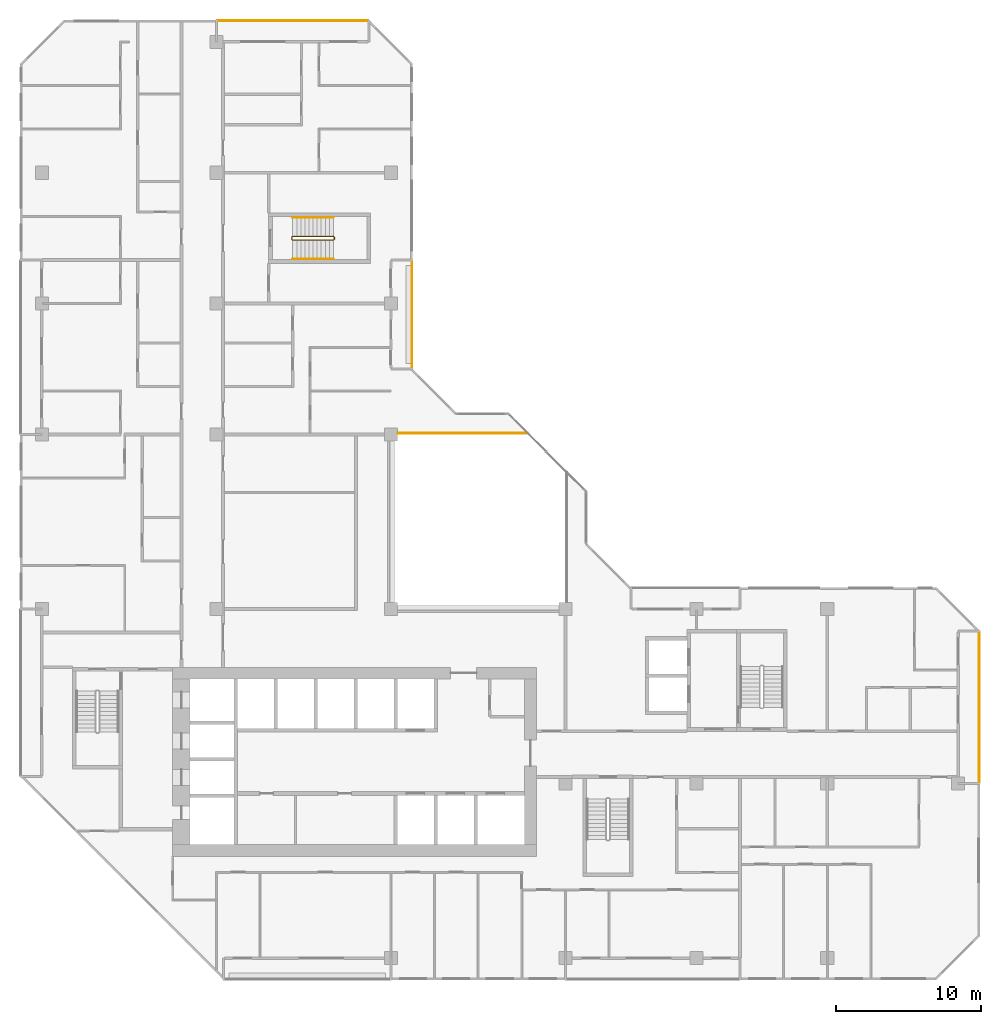
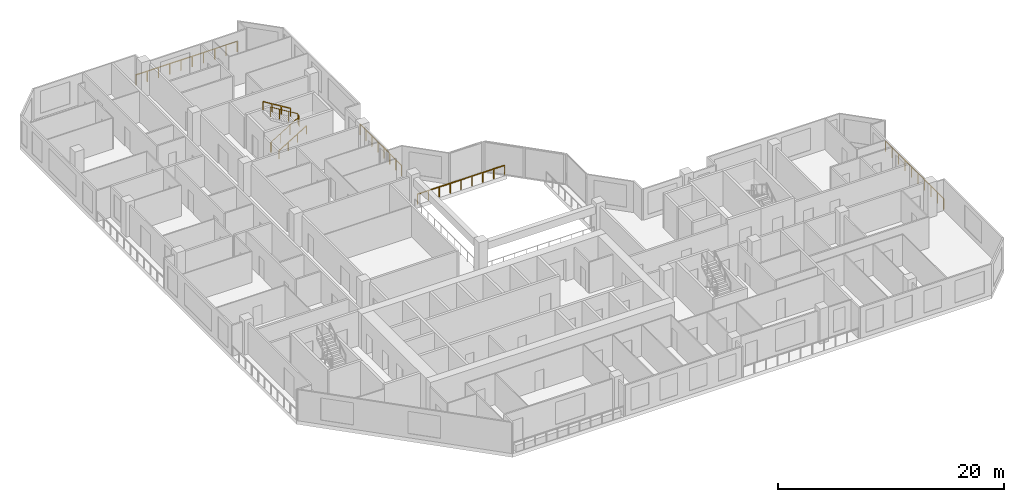
# One storey, part 15 of 15: 7 railings.
"""IFC4 building model written with IfcOpenShell, lengths in metres."""

from ifc_helpers import new_model, si_unit, direction, frame, origin, origin_2d, place, context, subcontext, project, spatial, rectangle, extrude, material, type_object, element, save


model = new_model("IFC4")

# Units and contexts
model_context = context("Model", 3, precision=1e-05, world=origin(), true_north=direction((0.0, 1.0)))
body_context = subcontext(model_context, "Body", "Model", "MODEL_VIEW")
ifc_project = project(units=[si_unit("LENGTHUNIT", "METRE"), si_unit("AREAUNIT", "SQUARE_METRE"), si_unit("VOLUMEUNIT", "CUBIC_METRE"), si_unit("PLANEANGLEUNIT", "RADIAN"), si_unit("MASSUNIT", "GRAM", prefix="KILO")], contexts=[model_context])

# Site, building, storey
site_placement = place(None, origin())
site = spatial("IfcSite", under=ifc_project, at=site_placement, CompositionType="ELEMENT")
building_placement = place(site_placement, origin())
building = spatial("IfcBuilding", under=site, at=building_placement, Name="Chenar Terraces", CompositionType="ELEMENT")
storey_placement = place(building_placement, frame((0.0, 0.0, 198.64990234375)))
storey = spatial("IfcBuildingStorey", under=building, at=storey_placement, Name="L46", CompositionType="ELEMENT", Elevation=198.64990234375)

# Railings
ifc_material_1 = material(Name="Powder-coated steel", Category="steel")
railing_type_1 = type_object("IfcRailingType", Name="Guard 1100 steel rail with glass infill", PredefinedType="GUARDRAIL", material=ifc_material_1)
railing_1_placement = place(storey_placement, frame((24.5, 36.10009765625, 0.0)))
element("IfcRailing", 1, at=railing_1_placement, inside=storey, type_object=railing_type_1, Name="Guard L46-2", PredefinedType="GUARDRAIL", context=body_context, shape_type="SweptSolid", body=[
    extrude(rectangle(XDim=0.06005859375, YDim=0.06005859375, at=origin_2d()), frame((0.0, 0.0, 1.070068359375), z_axis=(1.0, 0.0, 0.0), x_axis=(0.0, 1.0, 0.0)), (0.0, 0.0, 1.0), 8.89990234375),
    extrude(rectangle(XDim=0.050048828125, YDim=0.050048828125, at=origin_2d()), origin(), (0.0, 0.0, 1.0), 1.0400390625),
    extrude(rectangle(XDim=0.050048828125, YDim=0.050048828125, at=origin_2d()), frame((1.112548828125, 0.0, 0.0)), (0.0, 0.0, 1.0), 1.0400390625),
    extrude(rectangle(XDim=0.050048828125, YDim=0.050048828125, at=origin_2d()), frame((2.22509765625, 0.0, 0.0)), (0.0, 0.0, 1.0), 1.0400390625),
    extrude(rectangle(XDim=0.050048828125, YDim=0.050048828125, at=origin_2d()), frame((3.33740234375, 0.0, 0.0)), (0.0, 0.0, 1.0), 1.0400390625),
    extrude(rectangle(XDim=0.050048828125, YDim=0.050048828125, at=origin_2d()), frame((4.449951171875, 0.0, 0.0)), (0.0, 0.0, 1.0), 1.0400390625),
    extrude(rectangle(XDim=0.050048828125, YDim=0.050048828125, at=origin_2d()), frame((5.5625, 0.0, 0.0)), (0.0, 0.0, 1.0), 1.0400390625),
    extrude(rectangle(XDim=0.050048828125, YDim=0.050048828125, at=origin_2d()), frame((6.6748046875, 0.0, 0.0)), (0.0, 0.0, 1.0), 1.0400390625),
    extrude(rectangle(XDim=0.050048828125, YDim=0.050048828125, at=origin_2d()), frame((7.787353515625, 0.0, 0.0)), (0.0, 0.0, 1.0), 1.0400390625),
    extrude(rectangle(XDim=0.050048828125, YDim=0.050048828125, at=origin_2d()), frame((8.89990234375, 0.0, 0.0)), (0.0, 0.0, 1.0), 1.0400390625),
])
ifc_material_2 = material(Name="Stainless steel and glass", Category="steel")
railing_type_2 = type_object("IfcRailingType", Name="Loggia guard 1150", PredefinedType="GUARDRAIL", material=ifc_material_2)
railing_2_placement = place(storey_placement, frame((25.449951171875, 40.574951171875, 0.0)))
element("IfcRailing", 2, at=railing_2_placement, inside=storey, type_object=railing_type_2, Name="Loggia guard", PredefinedType="GUARDRAIL", context=body_context, shape_type="SweptSolid", body=[
    extrude(rectangle(XDim=0.048095703125, YDim=0.048095703125, at=origin_2d()), frame((0.0, 0.0, 1.1259765625), z_axis=(0.0, 1.0, 0.0), x_axis=(-1.0, 0.0, 0.0)), (0.0, 0.0, 1.0), 7.35009765625),
    extrude(rectangle(XDim=0.0419921875, YDim=0.0419921875, at=origin_2d()), origin(), (0.0, 0.0, 1.0), 1.101806640625),
    extrude(rectangle(XDim=0.0419921875, YDim=0.0419921875, at=origin_2d()), frame((0.0, 1.050048828125, 0.0)), (0.0, 0.0, 1.0), 1.101806640625),
    extrude(rectangle(XDim=0.0419921875, YDim=0.0419921875, at=origin_2d()), frame((0.0, 2.10009765625, 0.0)), (0.0, 0.0, 1.0), 1.101806640625),
    extrude(rectangle(XDim=0.0419921875, YDim=0.0419921875, at=origin_2d()), frame((0.0, 3.150146484375, 0.0)), (0.0, 0.0, 1.0), 1.101806640625),
    extrude(rectangle(XDim=0.0419921875, YDim=0.0419921875, at=origin_2d()), frame((0.0, 4.199951171875, 0.0)), (0.0, 0.0, 1.0), 1.101806640625),
    extrude(rectangle(XDim=0.0419921875, YDim=0.0419921875, at=origin_2d()), frame((0.0, 5.25, 0.0)), (0.0, 0.0, 1.0), 1.101806640625),
    extrude(rectangle(XDim=0.0419921875, YDim=0.0419921875, at=origin_2d()), frame((0.0, 6.300048828125, 0.0)), (0.0, 0.0, 1.0), 1.101806640625),
    extrude(rectangle(XDim=0.0419921875, YDim=0.0419921875, at=origin_2d()), frame((0.0, 7.35009765625, 0.0)), (0.0, 0.0, 1.0), 1.101806640625),
])
railing_3_placement = place(storey_placement, frame((64.449951171875, 12.074951171875, 0.0)))
element("IfcRailing", 3, at=railing_3_placement, inside=storey, type_object=railing_type_2, Name="Loggia guard", PredefinedType="GUARDRAIL", context=body_context, shape_type="SweptSolid", body=[
    extrude(rectangle(XDim=0.048095703125, YDim=0.048095703125, at=origin_2d()), frame((0.0, 0.0, 1.1259765625), z_axis=(0.0, 1.0, 0.0), x_axis=(-1.0, 0.0, 0.0)), (0.0, 0.0, 1.0), 10.35009765625),
    extrude(rectangle(XDim=0.0419921875, YDim=0.0419921875, at=origin_2d()), origin(), (0.0, 0.0, 1.0), 1.101806640625),
    extrude(rectangle(XDim=0.0419921875, YDim=0.0419921875, at=origin_2d()), frame((0.0, 1.14990234375, 0.0)), (0.0, 0.0, 1.0), 1.101806640625),
    extrude(rectangle(XDim=0.0419921875, YDim=0.0419921875, at=origin_2d()), frame((0.0, 2.300048828125, 0.0)), (0.0, 0.0, 1.0), 1.101806640625),
    extrude(rectangle(XDim=0.0419921875, YDim=0.0419921875, at=origin_2d()), frame((0.0, 3.449951171875, 0.0)), (0.0, 0.0, 1.0), 1.101806640625),
    extrude(rectangle(XDim=0.0419921875, YDim=0.0419921875, at=origin_2d()), frame((0.0, 4.60009765625, 0.0)), (0.0, 0.0, 1.0), 1.101806640625),
    extrude(rectangle(XDim=0.0419921875, YDim=0.0419921875, at=origin_2d()), frame((0.0, 5.75, 0.0)), (0.0, 0.0, 1.0), 1.101806640625),
    extrude(rectangle(XDim=0.0419921875, YDim=0.0419921875, at=origin_2d()), frame((0.0, 6.900146484375, 0.0)), (0.0, 0.0, 1.0), 1.101806640625),
    extrude(rectangle(XDim=0.0419921875, YDim=0.0419921875, at=origin_2d()), frame((0.0, 8.050048828125, 0.0)), (0.0, 0.0, 1.0), 1.101806640625),
    extrude(rectangle(XDim=0.0419921875, YDim=0.0419921875, at=origin_2d()), frame((0.0, 9.2001953125, 0.0)), (0.0, 0.0, 1.0), 1.101806640625),
    extrude(rectangle(XDim=0.0419921875, YDim=0.0419921875, at=origin_2d()), frame((0.0, 10.35009765625, 0.0)), (0.0, 0.0, 1.0), 1.101806640625),
])
railing_4_placement = place(storey_placement, frame((22.425048828125, 64.449951171875, 0.0)))
element("IfcRailing", 4, at=railing_4_placement, inside=storey, type_object=railing_type_2, Name="Loggia guard", PredefinedType="GUARDRAIL", context=body_context, shape_type="SweptSolid", body=[
    extrude(rectangle(XDim=0.048095703125, YDim=0.048095703125, at=origin_2d()), frame((0.0, 0.0, 1.1259765625), z_axis=(-1.0, 0.0, 0.0), x_axis=(0.0, -1.0, 0.0)), (0.0, 0.0, 1.0), 10.35009765625),
    extrude(rectangle(XDim=0.0419921875, YDim=0.0419921875, at=origin_2d()), origin(), (0.0, 0.0, 1.0), 1.101806640625),
    extrude(rectangle(XDim=0.0419921875, YDim=0.0419921875, at=origin_2d()), frame((-1.14990234375, 0.0, 0.0)), (0.0, 0.0, 1.0), 1.101806640625),
    extrude(rectangle(XDim=0.0419921875, YDim=0.0419921875, at=origin_2d()), frame((-2.300048828125, 0.0, 0.0)), (0.0, 0.0, 1.0), 1.101806640625),
    extrude(rectangle(XDim=0.0419921875, YDim=0.0419921875, at=origin_2d()), frame((-3.449951171875, 0.0, 0.0)), (0.0, 0.0, 1.0), 1.101806640625),
    extrude(rectangle(XDim=0.0419921875, YDim=0.0419921875, at=origin_2d()), frame((-4.60009765625, 0.0, 0.0)), (0.0, 0.0, 1.0), 1.101806640625),
    extrude(rectangle(XDim=0.0419921875, YDim=0.0419921875, at=origin_2d()), frame((-5.75, 0.0, 0.0)), (0.0, 0.0, 1.0), 1.101806640625),
    extrude(rectangle(XDim=0.0419921875, YDim=0.0419921875, at=origin_2d()), frame((-6.900146484375, 0.0, 0.0)), (0.0, 0.0, 1.0), 1.101806640625),
    extrude(rectangle(XDim=0.0419921875, YDim=0.0419921875, at=origin_2d()), frame((-8.050048828125, 0.0, 0.0)), (0.0, 0.0, 1.0), 1.101806640625),
    extrude(rectangle(XDim=0.0419921875, YDim=0.0419921875, at=origin_2d()), frame((-9.2001953125, 0.0, 0.0)), (0.0, 0.0, 1.0), 1.101806640625),
    extrude(rectangle(XDim=0.0419921875, YDim=0.0419921875, at=origin_2d()), frame((-10.35009765625, 0.0, 0.0)), (0.0, 0.0, 1.0), 1.101806640625),
])
ifc_material_3 = material(Name="Powder-coated steel", Category="steel")
railing_type_3 = type_object("IfcRailingType", Name="Stair guard 1100", PredefinedType="GUARDRAIL", material=ifc_material_3)
railing_5_placement = place(storey_placement, frame((17.25, 49.625, 3.75)))
element("IfcRailing", 5, at=railing_5_placement, inside=storey, type_object=railing_type_3, Name="L46 ST4 stair guard 1", PredefinedType="GUARDRAIL", context=body_context, shape_type="SweptSolid", body=[
    extrude(rectangle(XDim=0.048095703125, YDim=0.048095703125, at=origin_2d()), frame((0.0, 0.0, 1.076171875), z_axis=(0.854202870247, 0.0, -0.519939858505), x_axis=(0.0, 1.0, 0.0)), (0.0, 0.0, 1.0), 3.278076171875),
    extrude(rectangle(XDim=0.048095703125, YDim=0.048095703125, at=origin_2d()), frame((2.800048828125, 0.0, -0.62841796875), z_axis=(0.270899902878, -0.270899902878, -0.923702595667), x_axis=(0.707106781187, 0.707106781187, 0.0)), (0.0, 0.0, 1.0), 0.184814453125),
    extrude(rectangle(XDim=0.048095703125, YDim=0.048095703125, at=origin_2d()), frame((2.85009765625, -0.050048828125, -0.798828125), z_axis=(0.0, -1.0, 0.0), x_axis=(1.0, 0.0, 0.0)), (0.0, 0.0, 1.0), 0.14990234375),
    extrude(rectangle(XDim=0.048095703125, YDim=0.048095703125, at=origin_2d()), frame((2.85009765625, -0.199951171875, -0.798828125), z_axis=(-0.707106781187, -0.707106781187, 0.0), x_axis=(0.707106781187, -0.707106781187, 0.0)), (0.0, 0.0, 1.0), 0.07080078125),
    extrude(rectangle(XDim=0.048095703125, YDim=0.048095703125, at=origin_2d()), frame((2.800048828125, -0.25, -0.798828125), z_axis=(-0.854202870247, 0.0, -0.519939858505), x_axis=(0.0, -1.0, 0.0)), (0.0, 0.0, 1.0), 3.278076171875),
    extrude(rectangle(XDim=0.048095703125, YDim=0.048095703125, at=origin_2d()), frame((0.0, -0.25, -2.50341796875), z_axis=(-0.270899902878, 0.270899902878, -0.923702595667), x_axis=(-0.707106781187, -0.707106781187, 0.0)), (0.0, 0.0, 1.0), 0.184814453125),
    extrude(rectangle(XDim=0.048095703125, YDim=0.048095703125, at=origin_2d()), frame((-0.050048828125, -0.199951171875, -2.673828125), z_axis=(0.0, 1.0, 0.0), x_axis=(-1.0, 0.0, 0.0)), (0.0, 0.0, 1.0), 0.14990234375),
    extrude(rectangle(XDim=0.0419921875, YDim=0.0419921875, at=origin_2d()), origin(), (0.0, 0.0, 1.0), 1.052001953125),
    extrude(rectangle(XDim=0.0419921875, YDim=0.0419921875, at=origin_2d()), frame((0.933349609375, 0.0, -0.568115234375)), (0.0, 0.0, 1.0), 1.052001953125),
    extrude(rectangle(XDim=0.0419921875, YDim=0.0419921875, at=origin_2d()), frame((1.86669921875, 0.0, -1.13623046875)), (0.0, 0.0, 1.0), 1.052001953125),
    extrude(rectangle(XDim=0.0419921875, YDim=0.0419921875, at=origin_2d()), frame((2.800048828125, 0.0, -1.704345703125)), (0.0, 0.0, 1.0), 1.052001953125),
    extrude(rectangle(XDim=0.0419921875, YDim=0.0419921875, at=origin_2d()), frame((2.85009765625, -0.050048828125, -1.875)), (0.0, 0.0, 1.0), 1.052001953125),
    extrude(rectangle(XDim=0.0419921875, YDim=0.0419921875, at=origin_2d()), frame((2.85009765625, -0.199951171875, -1.875)), (0.0, 0.0, 1.0), 1.052001953125),
    extrude(rectangle(XDim=0.0419921875, YDim=0.0419921875, at=origin_2d()), frame((2.800048828125, -0.25, -1.875)), (0.0, 0.0, 1.0), 1.052001953125),
    extrude(rectangle(XDim=0.0419921875, YDim=0.0419921875, at=origin_2d()), frame((1.86669921875, -0.25, -2.443115234375)), (0.0, 0.0, 1.0), 1.052001953125),
    extrude(rectangle(XDim=0.0419921875, YDim=0.0419921875, at=origin_2d()), frame((0.933349609375, -0.25, -3.01123046875)), (0.0, 0.0, 1.0), 1.052001953125),
    extrude(rectangle(XDim=0.0419921875, YDim=0.0419921875, at=origin_2d()), frame((0.0, -0.25, -3.579345703125)), (0.0, 0.0, 1.0), 1.052001953125),
    extrude(rectangle(XDim=0.0419921875, YDim=0.0419921875, at=origin_2d()), frame((-0.050048828125, -0.199951171875, -3.75)), (0.0, 0.0, 1.0), 1.052001953125),
    extrude(rectangle(XDim=0.0419921875, YDim=0.0419921875, at=origin_2d()), frame((-0.050048828125, -0.050048828125, -3.75)), (0.0, 0.0, 1.0), 1.052001953125),
])
ifc_material_4 = material(Name="Powder-coated steel", Category="steel")
railing_type_4 = type_object("IfcRailingType", Name="Stair handrail 900", PredefinedType="HANDRAIL", material=ifc_material_4)
railing_6_placement = place(storey_placement, frame((17.25, 48.074951171875, 0.170654296875)))
element("IfcRailing", 6, at=railing_6_placement, inside=storey, type_object=railing_type_4, Name="L46 ST4 stair handrail 1", PredefinedType="HANDRAIL", context=body_context, shape_type="SweptSolid", body=[
    extrude(rectangle(XDim=0.048095703125, YDim=0.048095703125, at=origin_2d()), frame((0.0, 0.0, 0.8759765625), z_axis=(0.854202870247, 0.0, 0.519939858505), x_axis=(0.0, 1.0, 0.0)), (0.0, 0.0, 1.0), 3.278076171875),
    extrude(rectangle(XDim=0.0419921875, YDim=0.0419921875, at=origin_2d()), origin(), (0.0, 0.0, 1.0), 0.851806640625),
    extrude(rectangle(XDim=0.0419921875, YDim=0.0419921875, at=origin_2d()), frame((0.933349609375, 0.0, 0.568115234375)), (0.0, 0.0, 1.0), 0.851806640625),
    extrude(rectangle(XDim=0.0419921875, YDim=0.0419921875, at=origin_2d()), frame((1.86669921875, 0.0, 1.13623046875)), (0.0, 0.0, 1.0), 0.851806640625),
    extrude(rectangle(XDim=0.0419921875, YDim=0.0419921875, at=origin_2d()), frame((2.800048828125, 0.0, 1.704345703125)), (0.0, 0.0, 1.0), 0.851806640625),
])
railing_7_placement = place(storey_placement, frame((20.050048828125, 50.925048828125, 2.045654296875)))
element("IfcRailing", 7, at=railing_7_placement, inside=storey, type_object=railing_type_4, Name="L46 ST4 stair handrail 2", PredefinedType="HANDRAIL", context=body_context, shape_type="SweptSolid", body=[
    extrude(rectangle(XDim=0.048095703125, YDim=0.048095703125, at=origin_2d()), frame((0.0, 0.0, 0.8759765625), z_axis=(-0.854202870247, 0.0, 0.519939858505), x_axis=(0.0, -1.0, 0.0)), (0.0, 0.0, 1.0), 3.278076171875),
    extrude(rectangle(XDim=0.0419921875, YDim=0.0419921875, at=origin_2d()), origin(), (0.0, 0.0, 1.0), 0.851806640625),
    extrude(rectangle(XDim=0.0419921875, YDim=0.0419921875, at=origin_2d()), frame((-0.933349609375, 0.0, 0.568115234375)), (0.0, 0.0, 1.0), 0.851806640625),
    extrude(rectangle(XDim=0.0419921875, YDim=0.0419921875, at=origin_2d()), frame((-1.86669921875, 0.0, 1.13623046875)), (0.0, 0.0, 1.0), 0.851806640625),
    extrude(rectangle(XDim=0.0419921875, YDim=0.0419921875, at=origin_2d()), frame((-2.800048828125, 0.0, 1.704345703125)), (0.0, 0.0, 1.0), 0.851806640625),
])

save(model, "model.ifc")
